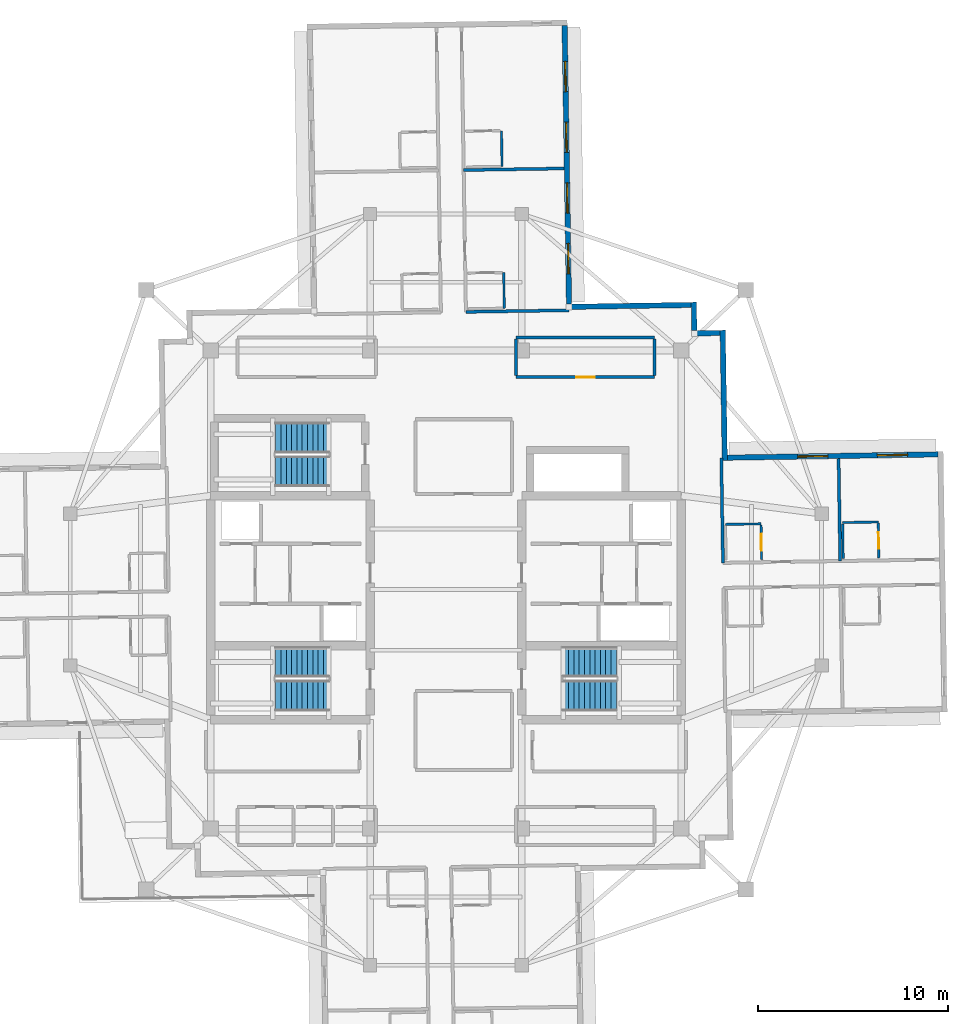
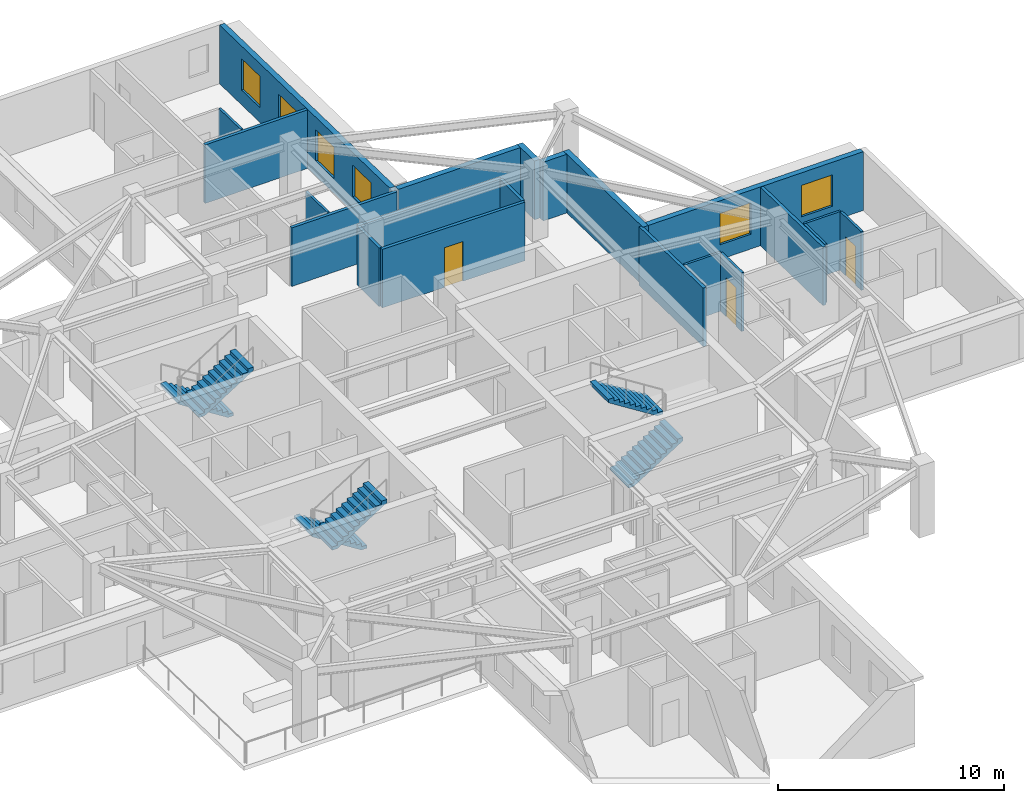
# One storey, part 8 of 12: 21 walls, 6 stair flights, 6 windows, 3 doors, 9 openings, 3 elements without a shape of their own.
"""IFC4 building model written with IfcOpenShell, lengths in metres."""

from ifc_helpers import new_model, si_unit, direction, frame, frame_2d, origin, place, context, subcontext, project, spatial, polyline, rectangle, outline, extrude, material, layer, layer_set, type_object, element, fill, aggregate, save


model = new_model("IFC4")

# Units and contexts
model_context = context("Model", 3, precision=1e-05, world=origin(), true_north=direction((0.0, 1.0)))
body_context = subcontext(model_context, "Body", "Model", "MODEL_VIEW")
ifc_project = project(units=[si_unit("LENGTHUNIT", "METRE"), si_unit("AREAUNIT", "SQUARE_METRE"), si_unit("VOLUMEUNIT", "CUBIC_METRE"), si_unit("PLANEANGLEUNIT", "RADIAN"), si_unit("MASSUNIT", "GRAM", prefix="KILO")], contexts=[model_context])

# Site, building, storey
site_placement = place(None, origin())
site = spatial("IfcSite", under=ifc_project, at=site_placement, CompositionType="ELEMENT")
building_placement = place(site_placement, origin())
building = spatial("IfcBuilding", under=site, at=building_placement, Name="Qingluan Cross Belvedere", CompositionType="ELEMENT")
storey_placement = place(building_placement, frame((0.0, 0.0, 269.39990234375)))
storey = spatial("IfcBuildingStorey", under=building, at=storey_placement, Name="L67", CompositionType="ELEMENT", Elevation=269.39990234375)

# Wall, opening, door
ifc_material_1 = material(Name="Gypsum plasterboard on steel stud acoustic partition", Category="steel")
ifc_layer_1 = layer(ifc_material_1, 0.159912109375, Name="CorridorPartition_160")
ifc_layer_set_1 = layer_set([ifc_layer_1], Name="Gypsum plasterboard on steel stud acoustic partition")
wall_type_1 = type_object("IfcWallType", Name="CorridorPartition_160", PredefinedType="PARTITIONING", material=ifc_layer_set_1)
wall_1_placement = place(storey_placement, frame((3.699951171875, 11.199951171875, 0.0), z_axis=(0.0, 0.0, 1.0), x_axis=(1.0, 0.0, 0.0)))
wall_1 = element("IfcWall", 1, at=wall_1_placement, inside=storey, type_object=wall_type_1, Name="Partition L67:q_ne:S", PredefinedType="PARTITIONING", context=body_context, shape_type="SweptSolid", body=[
    extrude(rectangle(XDim=7.300048828125, YDim=0.159912109375, at=frame_2d((3.64990234375, 0.0))), origin(), (0.0, 0.0, 1.0), 3.170166015625),
])
opening_1_placement = place(wall_1_placement, frame((3.169921875, 0.0, 0.0)))
opening_1 = element("IfcOpeningElement", 2, at=opening_1_placement, cuts=wall_1, Name="Opening GD-10", PredefinedType="OPENING", context=body_context, shape_type="SweptSolid", body=[
    extrude(rectangle(XDim=0.9599609375, YDim=2.14990234375, at=frame_2d((0.47998046875, 1.074951171875))), frame((0.0, 0.08984375, 0.0), z_axis=(0.0, -1.0, 0.0), x_axis=(1.0, 0.0, 0.0)), (0.0, 0.0, 1.0), 0.179931640625),
])
ifc_material_2 = material(Name="Timber oak fire-rated acoustic guestroom door", Category="wood")
door_type_1 = type_object("IfcDoorType", Name="GuestEntryDoor_FD60", OperationType="NOTDEFINED", PredefinedType="DOOR", material=ifc_material_2)
door_1_placement = place(opening_1_placement, origin())
door_1 = element("IfcDoor", 3, at=door_1_placement, inside=storey, type_object=door_type_1, Name="Sky tea ceremony salon L67 door", OperationType="SINGLE_SWING_LEFT", OverallHeight=2.14990234375, OverallWidth=0.9599609375, PredefinedType="DOOR", context=body_context, shape_type="SweptSolid", body=[
    extrude(rectangle(XDim=0.9599609375, YDim=2.14990234375, at=frame_2d((0.47998046875, 1.074951171875))), frame((0.0, 0.02490234375, 0.0), z_axis=(0.0, -1.0, 0.0), x_axis=(1.0, 0.0, 0.0)), (0.0, 0.0, 1.0), 0.050048828125),
])
fill(opening_1, door_1)

# Walls
wall_2_placement = place(storey_placement, frame((3.699951171875, 13.300048828125, 0.0), z_axis=(0.0, 0.0, 1.0), x_axis=(1.0, 0.0, 0.0)))
element("IfcWall", 4, at=wall_2_placement, inside=storey, type_object=wall_type_1, Name="Partition L67:q_ne:N", PredefinedType="PARTITIONING", context=body_context, shape_type="SweptSolid", body=[
    extrude(rectangle(XDim=7.300048828125, YDim=0.159912109375, at=frame_2d((3.64990234375, 0.0))), origin(), (0.0, 0.0, 1.0), 3.170166015625),
])
for number, where, z_axis, x_axis, name in (
    (5, (3.699951171875, 11.284912109375, 0.0), (0.0, 0.0, 1.0), (0.0, 1.0, 0.0), "Partition L67:q_ne:W"),
    (6, (11.0, 11.284912109375, 0.0), (0.0, 0.0, 1.0), (0.0, 1.0, 0.0), "Partition L67:q_ne:E"),
):
    element("IfcWall", number, at=place(storey_placement, frame(where, z_axis=z_axis, x_axis=x_axis)), inside=storey, type_object=wall_type_1, Name=name, PredefinedType="PARTITIONING", context=body_context, shape_type="SweptSolid", body=[
        extrude(rectangle(XDim=1.93017578125, YDim=0.159912109375, at=frame_2d((0.965087890625, 0.0))), origin(), (0.0, 0.0, 1.0), 3.170166015625),
    ])
wall_3_placement = place(storey_placement, frame((14.599609375, 1.409423828125, 0.0), z_axis=(0.0, 0.0, 1.0), x_axis=(-0.015688491621, 0.999876928042, 0.0)))
element("IfcWall", 7, at=wall_3_placement, inside=storey, type_object=wall_type_1, Name="Partition L67:E:s0", PredefinedType="PARTITIONING", context=body_context, shape_type="SweptSolid", body=[
    extrude(rectangle(XDim=5.5400390625, YDim=0.159912109375, at=frame_2d((2.77001953125, 0.0))), origin(), (0.0, 0.0, 1.0), 3.170166015625),
])
wall_4_placement = place(storey_placement, frame((20.77880859375, 1.506591796875, 0.0), z_axis=(0.0, 0.0, 1.0), x_axis=(-0.015711505169, 0.999876566685, 0.0)))
element("IfcWall", 8, at=wall_4_placement, inside=storey, type_object=wall_type_1, Name="Partition L67:E:d0_0", PredefinedType="PARTITIONING", context=body_context, shape_type="SweptSolid", body=[
    extrude(rectangle(XDim=5.39208984375, YDim=0.159912109375, at=frame_2d((2.696044921875, 0.0))), origin(), (0.0, 0.0, 1.0), 3.170166015625),
])
wall_5_placement = place(storey_placement, frame((1.05029296875, 14.63818359375, 0.0), z_axis=(0.0, 0.0, 1.0), x_axis=(0.999876622965, 0.015707923068, 0.0)))
element("IfcWall", 9, at=wall_5_placement, inside=storey, type_object=wall_type_1, Name="Partition L67:N:s0", PredefinedType="PARTITIONING", context=body_context, shape_type="SweptSolid", body=[
    extrude(rectangle(XDim=5.43994140625, YDim=0.159912109375, at=frame_2d((2.719970703125, 0.0))), origin(), (0.0, 0.0, 1.0), 3.170166015625),
])
wall_6_placement = place(storey_placement, frame((0.932861328125, 22.114501953125, 0.0), z_axis=(0.0, 0.0, 1.0), x_axis=(0.999876970397, 0.015685791996, 0.0)))
element("IfcWall", 10, at=wall_6_placement, inside=storey, type_object=wall_type_1, Name="Partition L67:N:d0_0", PredefinedType="PARTITIONING", context=body_context, shape_type="SweptSolid", body=[
    extrude(rectangle(XDim=5.2919921875, YDim=0.159912109375, at=frame_2d((2.64599609375, 0.0))), origin(), (0.0, 0.0, 1.0), 3.170166015625),
])

# Wall, opening, door
ifc_material_3 = material(Name="Moisture-resistant gypsum board lining")
ifc_layer_2 = layer(ifc_material_3, 0.1201171875, Name="EnsuiteWetPartition_120")
ifc_layer_set_2 = layer_set([ifc_layer_2], Name="Moisture-resistant gypsum board lining")
wall_type_2 = type_object("IfcWallType", Name="EnsuiteWetPartition_120", PredefinedType="PARTITIONING", material=ifc_layer_set_2)
wall_7_placement = place(storey_placement, frame((16.63720703125, 1.58154296875, 0.0), z_axis=(0.0, 0.0, 1.0), x_axis=(-0.015694337248, 0.999876836305, 0.0)))
wall_7 = element("IfcWall", 11, at=wall_7_placement, inside=storey, type_object=wall_type_2, Name="Partition L67:E:bs0_0", PredefinedType="PARTITIONING", context=body_context, shape_type="SweptSolid", body=[
    extrude(rectangle(XDim=1.820068359375, YDim=0.1201171875, at=frame_2d((0.91015625, 0.0))), origin(), (0.0, 0.0, 1.0), 3.170166015625),
])
opening_2_placement = place(wall_7_placement, frame((0.469970703125, 0.0, 0.0)))
opening_2 = element("IfcOpeningElement", 12, at=opening_2_placement, cuts=wall_7, Name="Opening BD-09", PredefinedType="OPENING", context=body_context, shape_type="SweptSolid", body=[
    extrude(rectangle(XDim=0.8798828125, YDim=2.10009765625, at=frame_2d((0.43994140625, 1.050048828125))), frame((0.0, 0.070068359375, 0.0), z_axis=(0.0, -1.0, 0.0), x_axis=(1.0, 0.0, 0.0)), (0.0, 0.0, 1.0), 0.14013671875),
])
ifc_material_4 = material(Name="Moisture-sealed timber en-suite door", Category="wood")
door_type_2 = type_object("IfcDoorType", Name="BathroomDoor_880", OperationType="NOTDEFINED", PredefinedType="DOOR", material=ifc_material_4)
door_2_placement = place(opening_2_placement, origin())
door_2 = element("IfcDoor", 13, at=door_2_placement, inside=storey, type_object=door_type_2, Name="Bathroom door 6701", OperationType="SINGLE_SWING_LEFT", OverallHeight=2.10009765625, OverallWidth=0.8798828125, PredefinedType="DOOR", context=body_context, shape_type="SweptSolid", body=[
    extrude(rectangle(XDim=0.8798828125, YDim=2.10009765625, at=frame_2d((0.43994140625, 1.050048828125))), frame((0.0, 0.02490234375, 0.0), z_axis=(0.0, -1.0, 0.0), x_axis=(1.0, 0.0, 0.0)), (0.0, 0.0, 1.0), 0.050048828125),
])
fill(opening_2, door_2)

# Wall
wall_8_placement = place(storey_placement, frame((14.727783203125, 3.436767578125, 0.0), z_axis=(0.0, 0.0, 1.0), x_axis=(0.999876553475, 0.01571234584, 0.0)))
element("IfcWall", 14, at=wall_8_placement, inside=storey, type_object=wall_type_2, Name="Partition L67:E:bn0_0", PredefinedType="PARTITIONING", context=body_context, shape_type="SweptSolid", body=[
    extrude(rectangle(XDim=1.880126953125, YDim=0.1201171875, at=frame_2d((0.93994140625, 0.0))), origin(), (0.0, 0.0, 1.0), 3.170166015625),
])

# Wall, opening, door
wall_9_placement = place(storey_placement, frame((22.81640625, 1.6787109375, 0.0), z_axis=(0.0, 0.0, 1.0), x_axis=(-0.015696442504, 0.999876803258, 0.0)))
wall_9 = element("IfcWall", 15, at=wall_9_placement, inside=storey, type_object=wall_type_2, Name="Partition L67:E:bs0_1", PredefinedType="PARTITIONING", context=body_context, shape_type="SweptSolid", body=[
    extrude(rectangle(XDim=1.81982421875, YDim=0.1201171875, at=frame_2d((0.909912109375, 0.0))), origin(), (0.0, 0.0, 1.0), 3.170166015625),
])
opening_3_placement = place(wall_9_placement, frame((0.469970703125, 0.0, 0.0)))
opening_3 = element("IfcOpeningElement", 16, at=opening_3_placement, cuts=wall_9, Name="Opening BD-09", PredefinedType="OPENING", context=body_context, shape_type="SweptSolid", body=[
    extrude(rectangle(XDim=0.8798828125, YDim=2.10009765625, at=frame_2d((0.43994140625, 1.050048828125))), frame((0.0, 0.070068359375, 0.0), z_axis=(0.0, -1.0, 0.0), x_axis=(1.0, 0.0, 0.0)), (0.0, 0.0, 1.0), 0.14013671875),
])
door_3_placement = place(opening_3_placement, origin())
door_3 = element("IfcDoor", 17, at=door_3_placement, inside=storey, type_object=door_type_2, Name="Bathroom door 6702", OperationType="SINGLE_SWING_LEFT", OverallHeight=2.10009765625, OverallWidth=0.8798828125, PredefinedType="DOOR", context=body_context, shape_type="SweptSolid", body=[
    extrude(rectangle(XDim=0.8798828125, YDim=2.10009765625, at=frame_2d((0.43994140625, 1.050048828125))), frame((0.0, 0.02490234375, 0.0), z_axis=(0.0, -1.0, 0.0), x_axis=(1.0, 0.0, 0.0)), (0.0, 0.0, 1.0), 0.050048828125),
])
fill(opening_3, door_3)

# Walls
wall_10_placement = place(storey_placement, frame((20.936767578125, 1.649169921875, 0.0), z_axis=(0.0, 0.0, 1.0), x_axis=(-0.015696442504, 0.999876803258, 0.0)))
element("IfcWall", 18, at=wall_10_placement, inside=storey, type_object=wall_type_2, Name="Partition L67:E:bw0_1", PredefinedType="PARTITIONING", context=body_context, shape_type="SweptSolid", body=[
    extrude(rectangle(XDim=1.81982421875, YDim=0.1201171875, at=frame_2d((0.909912109375, 0.0))), origin(), (0.0, 0.0, 1.0), 3.170166015625),
])
for number, where, z_axis, x_axis, name in (
    (19, (20.906982421875, 3.53369140625, 0.0), (0.0, 0.0, 1.0), (0.99987450499, 0.015842167482, 0.0), "Partition L67:E:bn0_1"),
    (20, (3.072509765625, 14.830078125, 0.0), (0.0, 0.0, 1.0), (-0.01571234584, 0.999876553475, 0.0), "Partition L67:N:bn0_0"),
):
    element("IfcWall", number, at=place(storey_placement, frame(where, z_axis=z_axis, x_axis=x_axis)), inside=storey, type_object=wall_type_2, Name=name, PredefinedType="PARTITIONING", context=body_context, shape_type="SweptSolid", body=[
        extrude(rectangle(XDim=1.880126953125, YDim=0.1201171875, at=frame_2d((0.93994140625, 0.0))), origin(), (0.0, 0.0, 1.0), 3.170166015625),
    ])
wall_11_placement = place(storey_placement, frame((2.955078125, 22.30615234375, 0.0), z_axis=(0.0, 0.0, 1.0), x_axis=(-0.015714386166, 0.99987652141, 0.0)))
element("IfcWall", 21, at=wall_11_placement, inside=storey, type_object=wall_type_2, Name="Partition L67:N:bn0_1", PredefinedType="PARTITIONING", context=body_context, shape_type="SweptSolid", body=[
    extrude(rectangle(XDim=1.8798828125, YDim=0.1201171875, at=frame_2d((0.93994140625, 0.0))), origin(), (0.0, 0.0, 1.0), 3.170166015625),
])

# Wall, openings, windows
ifc_material_5 = material(Name="Precast concrete C45", Category="concrete")
ifc_layer_3 = layer(ifc_material_5, 0.280029296875, Name="PrecastFacadeWall_280")
ifc_layer_set_3 = layer_set([ifc_layer_3], Name="Precast concrete C45")
wall_type_3 = type_object("IfcWallType", Name="PrecastFacadeWall_280", PredefinedType="STANDARD", material=ifc_layer_set_3)
wall_12_placement = place(storey_placement, frame((25.93115234375, 7.128173828125, 0.0), z_axis=(0.0, 0.0, 1.0), x_axis=(-0.999876681786, -0.015704178416, 0.0)))
wall_12 = element("IfcWall", 22, at=wall_12_placement, inside=storey, type_object=wall_type_3, Name="Facade wall L67-EB", PredefinedType="STANDARD", context=body_context, shape_type="SweptSolid", body=[
    extrude(rectangle(XDim=11.10009765625, YDim=0.280029296875, at=frame_2d((5.550048828125, 0.0))), origin(), (0.0, 0.0, 1.0), 3.18017578125),
])
opening_4_placement = place(wall_12_placement, frame((1.60009765625, 0.0, 0.800048828125)))
opening_4 = element("IfcOpeningElement", 23, at=opening_4_placement, cuts=wall_12, Name="Opening W-04", PredefinedType="OPENING", context=body_context, shape_type="SweptSolid", body=[
    extrude(rectangle(XDim=1.60009765625, YDim=1.699951171875, at=frame_2d((0.800048828125, 0.85009765625))), frame((0.0, 0.14990234375, 0.0), z_axis=(0.0, -1.0, 0.0), x_axis=(1.0, 0.0, 0.0)), (0.0, 0.0, 1.0), 0.300048828125),
])
opening_5_placement = place(wall_12_placement, frame((5.800048828125, 0.0, 0.800048828125)))
opening_5 = element("IfcOpeningElement", 24, at=opening_5_placement, cuts=wall_12, Name="Opening W-04", PredefinedType="OPENING", context=body_context, shape_type="SweptSolid", body=[
    extrude(rectangle(XDim=1.60009765625, YDim=1.699951171875, at=frame_2d((0.800048828125, 0.85009765625))), frame((0.0, 0.14990234375, 0.0), z_axis=(0.0, -1.0, 0.0), x_axis=(1.0, 0.0, 0.0)), (0.0, 0.0, 1.0), 0.300048828125),
])
ifc_material_6 = material(Name="Thermally broken triple Low-E glass in aluminium frame", Category="aluminium")
window_type = type_object("IfcWindowType", Name="SuiteCornerWin_1600x1700", PartitioningType="SINGLE_PANEL", PredefinedType="WINDOW", material=ifc_material_6)
window_1_placement = place(opening_4_placement, origin())
window_1 = element("IfcWindow", 25, at=window_1_placement, inside=storey, type_object=window_type, Name="Ribbon window L67-EB-1", OverallHeight=1.699951171875, OverallWidth=1.60009765625, PartitioningType="SINGLE_PANEL", PredefinedType="WINDOW", context=body_context, shape_type="SweptSolid", body=[
    extrude(rectangle(XDim=1.60009765625, YDim=1.699951171875, at=frame_2d((0.800048828125, 0.85009765625))), frame((0.0, 0.030029296875, 0.0), z_axis=(0.0, -1.0, 0.0), x_axis=(1.0, 0.0, 0.0)), (0.0, 0.0, 1.0), 0.06005859375),
])
fill(opening_4, window_1)
window_2_placement = place(opening_5_placement, origin())
window_2 = element("IfcWindow", 26, at=window_2_placement, inside=storey, type_object=window_type, Name="Ribbon window L67-EB-2", OverallHeight=1.699951171875, OverallWidth=1.60009765625, PartitioningType="SINGLE_PANEL", PredefinedType="WINDOW", context=body_context, shape_type="SweptSolid", body=[
    extrude(rectangle(XDim=1.60009765625, YDim=1.699951171875, at=frame_2d((0.800048828125, 0.85009765625))), frame((0.0, 0.030029296875, 0.0), z_axis=(0.0, -1.0, 0.0), x_axis=(1.0, 0.0, 0.0)), (0.0, 0.0, 1.0), 0.06005859375),
])
fill(opening_5, window_2)

wall_13_placement = place(storey_placement, frame((6.484619140625, 15.043701171875, 0.0), z_axis=(0.0, 0.0, 1.0), x_axis=(-0.015711302158, 0.999876569875, 0.0)))
wall_13 = element("IfcWall", 27, at=wall_13_placement, inside=storey, type_object=wall_type_3, Name="Facade wall L67-NA", PredefinedType="STANDARD", context=body_context, shape_type="SweptSolid", body=[
    extrude(rectangle(XDim=14.699951171875, YDim=0.280029296875, at=frame_2d((7.35009765625, 0.0))), origin(), (0.0, 0.0, 1.0), 3.18017578125),
])
opening_6_placement = place(wall_13_placement, frame((1.60009765625, 0.0, 0.800048828125)))
opening_6 = element("IfcOpeningElement", 28, at=opening_6_placement, cuts=wall_13, Name="Opening W-04", PredefinedType="OPENING", context=body_context, shape_type="SweptSolid", body=[
    extrude(rectangle(XDim=1.60009765625, YDim=1.699951171875, at=frame_2d((0.800048828125, 0.85009765625))), frame((0.0, 0.14990234375, 0.0), z_axis=(0.0, -1.0, 0.0), x_axis=(1.0, 0.0, 0.0)), (0.0, 0.0, 1.0), 0.300048828125),
])
opening_7_placement = place(wall_13_placement, frame((4.800048828125, 0.0, 0.800048828125)))
opening_7 = element("IfcOpeningElement", 29, at=opening_7_placement, cuts=wall_13, Name="Opening W-04", PredefinedType="OPENING", context=body_context, shape_type="SweptSolid", body=[
    extrude(rectangle(XDim=1.60009765625, YDim=1.699951171875, at=frame_2d((0.800048828125, 0.85009765625))), frame((0.0, 0.14990234375, 0.0), z_axis=(0.0, -1.0, 0.0), x_axis=(1.0, 0.0, 0.0)), (0.0, 0.0, 1.0), 0.300048828125),
])
opening_8_placement = place(wall_13_placement, frame((8.0, 0.0, 0.800048828125)))
opening_8 = element("IfcOpeningElement", 30, at=opening_8_placement, cuts=wall_13, Name="Opening W-04", PredefinedType="OPENING", context=body_context, shape_type="SweptSolid", body=[
    extrude(rectangle(XDim=1.60009765625, YDim=1.699951171875, at=frame_2d((0.800048828125, 0.85009765625))), frame((0.0, 0.14990234375, 0.0), z_axis=(0.0, -1.0, 0.0), x_axis=(1.0, 0.0, 0.0)), (0.0, 0.0, 1.0), 0.300048828125),
])
opening_9_placement = place(wall_13_placement, frame((11.199951171875, 0.0, 0.800048828125)))
opening_9 = element("IfcOpeningElement", 31, at=opening_9_placement, cuts=wall_13, Name="Opening W-04", PredefinedType="OPENING", context=body_context, shape_type="SweptSolid", body=[
    extrude(rectangle(XDim=1.60009765625, YDim=1.699951171875, at=frame_2d((0.800048828125, 0.85009765625))), frame((0.0, 0.14990234375, 0.0), z_axis=(0.0, -1.0, 0.0), x_axis=(1.0, 0.0, 0.0)), (0.0, 0.0, 1.0), 0.300048828125),
])
window_3_placement = place(opening_6_placement, origin())
window_3 = element("IfcWindow", 32, at=window_3_placement, inside=storey, type_object=window_type, Name="Ribbon window L67-NA-1", OverallHeight=1.699951171875, OverallWidth=1.60009765625, PartitioningType="SINGLE_PANEL", PredefinedType="WINDOW", context=body_context, shape_type="SweptSolid", body=[
    extrude(rectangle(XDim=1.60009765625, YDim=1.699951171875, at=frame_2d((0.800048828125, 0.85009765625))), frame((0.0, 0.030029296875, 0.0), z_axis=(0.0, -1.0, 0.0), x_axis=(1.0, 0.0, 0.0)), (0.0, 0.0, 1.0), 0.06005859375),
])
fill(opening_6, window_3)
window_4_placement = place(opening_7_placement, origin())
window_4 = element("IfcWindow", 33, at=window_4_placement, inside=storey, type_object=window_type, Name="Ribbon window L67-NA-2", OverallHeight=1.699951171875, OverallWidth=1.60009765625, PartitioningType="SINGLE_PANEL", PredefinedType="WINDOW", context=body_context, shape_type="SweptSolid", body=[
    extrude(rectangle(XDim=1.60009765625, YDim=1.699951171875, at=frame_2d((0.800048828125, 0.85009765625))), frame((0.0, 0.030029296875, 0.0), z_axis=(0.0, -1.0, 0.0), x_axis=(1.0, 0.0, 0.0)), (0.0, 0.0, 1.0), 0.06005859375),
])
fill(opening_7, window_4)
window_5_placement = place(opening_8_placement, origin())
window_5 = element("IfcWindow", 34, at=window_5_placement, inside=storey, type_object=window_type, Name="Ribbon window L67-NA-3", OverallHeight=1.699951171875, OverallWidth=1.60009765625, PartitioningType="SINGLE_PANEL", PredefinedType="WINDOW", context=body_context, shape_type="SweptSolid", body=[
    extrude(rectangle(XDim=1.60009765625, YDim=1.699951171875, at=frame_2d((0.800048828125, 0.85009765625))), frame((0.0, 0.030029296875, 0.0), z_axis=(0.0, -1.0, 0.0), x_axis=(1.0, 0.0, 0.0)), (0.0, 0.0, 1.0), 0.06005859375),
])
fill(opening_8, window_5)
window_6_placement = place(opening_9_placement, origin())
window_6 = element("IfcWindow", 35, at=window_6_placement, inside=storey, type_object=window_type, Name="Ribbon window L67-NA-4", OverallHeight=1.699951171875, OverallWidth=1.60009765625, PartitioningType="SINGLE_PANEL", PredefinedType="WINDOW", context=body_context, shape_type="SweptSolid", body=[
    extrude(rectangle(XDim=1.60009765625, YDim=1.699951171875, at=frame_2d((0.800048828125, 0.85009765625))), frame((0.0, 0.030029296875, 0.0), z_axis=(0.0, -1.0, 0.0), x_axis=(1.0, 0.0, 0.0)), (0.0, 0.0, 1.0), 0.06005859375),
])
fill(opening_9, window_6)

# Walls
wall_14_placement = place(storey_placement, frame((14.69482421875, 6.811767578125, 0.0), z_axis=(0.0, 0.0, 1.0), x_axis=(-0.015694809807, 0.999876828887, 0.0)))
element("IfcWall", 36, at=wall_14_placement, inside=storey, type_object=wall_type_3, Name="Corner wall L67-NE1", PredefinedType="STANDARD", context=body_context, shape_type="SweptSolid", body=[
    extrude(rectangle(XDim=6.85986328125, YDim=0.280029296875, at=frame_2d((3.429931640625, 0.0))), origin(), (0.0, 0.0, 1.0), 3.18017578125),
])
wall_15_placement = place(storey_placement, frame((14.44921875, 13.528564453125, 0.0), z_axis=(0.0, 0.0, 1.0), x_axis=(-0.999878147354, -0.015610587569, 0.0)))
element("IfcWall", 37, at=wall_15_placement, inside=storey, type_object=wall_type_3, Name="Corner wall L67-NE2", PredefinedType="STANDARD", context=body_context, shape_type="SweptSolid", body=[
    extrude(rectangle(XDim=1.219970703125, YDim=0.280029296875, at=frame_2d((0.60986328125, 0.0))), origin(), (0.0, 0.0, 1.0), 3.18017578125),
])
wall_16_placement = place(storey_placement, frame((13.08740234375, 13.647216796875, 0.0), z_axis=(0.0, 0.0, 1.0), x_axis=(-0.015785793208, 0.999875396603, 0.0)))
element("IfcWall", 38, at=wall_16_placement, inside=storey, type_object=wall_type_3, Name="Corner wall L67-NE3", PredefinedType="STANDARD", context=body_context, shape_type="SweptSolid", body=[
    extrude(rectangle(XDim=1.500244140625, YDim=0.280029296875, at=frame_2d((0.75, 0.0))), origin(), (0.0, 0.0, 1.0), 3.18017578125),
])
wall_17_placement = place(storey_placement, frame((12.92578125, 15.0048828125, 0.0), z_axis=(0.0, 0.0, 1.0), x_axis=(-0.999876823822, -0.015695132501, 0.0)))
element("IfcWall", 39, at=wall_17_placement, inside=storey, type_object=wall_type_3, Name="Corner wall L67-NE4", PredefinedType="STANDARD", context=body_context, shape_type="SweptSolid", body=[
    extrude(rectangle(XDim=6.2998046875, YDim=0.280029296875, at=frame_2d((3.14990234375, 0.0))), origin(), (0.0, 0.0, 1.0), 3.18017578125),
])

# Stair, stair flights
ifc_material_7 = material(Name="Concrete C40", Category="concrete")
stair_type = type_object("IfcStairType", Name="CoreDoglegStair_1620", PredefinedType="HALF_TURN_STAIR", material=ifc_material_7)
stair_1_placement = place(storey_placement, origin())
stair_1 = element("IfcStair", 40, at=stair_1_placement, inside=storey, type_object=stair_type, Name="L67 ST1", PredefinedType="HALF_TURN_STAIR")
ifc_material_8 = material(Name="Concrete C40", Category="concrete")
ifc_layer_4 = layer(ifc_material_8, 0.179931640625, Name="StairFlight_RC180")
ifc_layer_set_4 = layer_set([ifc_layer_4], Name="Concrete C40")
stair_flight_type = type_object("IfcStairFlightType", Name="StairFlight_RC180", PredefinedType="STRAIGHT", material=ifc_layer_set_4)
stair_flight_1_placement = place(storey_placement, frame((-6.179931640625, -3.81005859375, 0.0), z_axis=(0.0, 0.0, 1.0), x_axis=(-1.0, 0.0, 0.0)))
stair_flight_1 = element("IfcStairFlight", 41, at=stair_flight_1_placement, type_object=stair_flight_type, Name="ST1 flight 1", NumberOfRisers=11, NumberOfTreads=10, PredefinedType="STRAIGHT", RiserHeight=0.177272727, TreadLength=0.28, context=body_context, shape_type="SweptSolid", body=[
    extrude(outline(polyline([(0.0, 0.0), (0.0, 0.17724609375), (0.280029296875, 0.17724609375), (0.280029296875, 0.3544921875), (0.56005859375, 0.3544921875), (0.56005859375, 0.53173828125), (0.840087890625, 0.53173828125), (0.840087890625, 0.708984375), (1.1201171875, 0.708984375), (1.1201171875, 0.886474609375), (1.39990234375, 0.886474609375), (1.39990234375, 1.063720703125), (1.679931640625, 1.063720703125), (1.679931640625, 1.240966796875), (1.9599609375, 1.240966796875), (1.9599609375, 1.418212890625), (2.239990234375, 1.418212890625), (2.239990234375, 1.595458984375), (2.52001953125, 1.595458984375), (2.52001953125, 1.772705078125), (2.800048828125, 1.772705078125), (2.800048828125, 1.949951171875), (2.800048828125, 1.59521484375), (0.2802734375, 0.0), (0.0, 0.0)])), frame((0.0, 0.81005859375, 0.0), z_axis=(0.0, -1.0, 0.0), x_axis=(1.0, 0.0, 0.0)), (0.0, 0.0, 1.0), 1.6201171875),
])
stair_flight_2_placement = place(storey_placement, frame((-8.97998046875, -5.590087890625, 1.9501953125), z_axis=(0.0, 0.0, 1.0), x_axis=(1.0, 0.0, 0.0)))
stair_flight_2 = element("IfcStairFlight", 42, at=stair_flight_2_placement, type_object=stair_flight_type, Name="ST1 flight 2", NumberOfRisers=11, NumberOfTreads=10, PredefinedType="STRAIGHT", RiserHeight=0.177272727, TreadLength=0.28, context=body_context, shape_type="SweptSolid", body=[
    extrude(outline(polyline([(0.0, 0.0), (0.0, 0.17724609375), (0.280029296875, 0.17724609375), (0.280029296875, 0.3544921875), (0.56005859375, 0.3544921875), (0.56005859375, 0.53173828125), (0.840087890625, 0.53173828125), (0.840087890625, 0.708984375), (1.1201171875, 0.708984375), (1.1201171875, 0.886474609375), (1.39990234375, 0.886474609375), (1.39990234375, 1.063720703125), (1.679931640625, 1.063720703125), (1.679931640625, 1.240966796875), (1.9599609375, 1.240966796875), (1.9599609375, 1.418212890625), (2.239990234375, 1.418212890625), (2.239990234375, 1.595458984375), (2.52001953125, 1.595458984375), (2.52001953125, 1.772705078125), (2.800048828125, 1.772705078125), (2.800048828125, 1.949951171875), (2.800048828125, 1.59521484375), (0.2802734375, 0.0), (0.0, 0.0)])), frame((0.0, 0.81005859375, 0.0), z_axis=(0.0, -1.0, 0.0), x_axis=(1.0, 0.0, 0.0)), (0.0, 0.0, 1.0), 1.6201171875),
])
aggregate(stair_1, [stair_flight_1, stair_flight_2])

stair_2_placement = place(storey_placement, origin())
stair_2 = element("IfcStair", 43, at=stair_2_placement, inside=storey, type_object=stair_type, Name="L67 ST2", PredefinedType="HALF_TURN_STAIR")
stair_flight_3_placement = place(storey_placement, frame((6.179931640625, -5.590087890625, 0.0), z_axis=(0.0, 0.0, 1.0), x_axis=(1.0, 0.0, 0.0)))
stair_flight_3 = element("IfcStairFlight", 44, at=stair_flight_3_placement, type_object=stair_flight_type, Name="ST2 flight 1", NumberOfRisers=11, NumberOfTreads=10, PredefinedType="STRAIGHT", RiserHeight=0.177272727, TreadLength=0.28, context=body_context, shape_type="SweptSolid", body=[
    extrude(outline(polyline([(0.0, 0.0), (0.0, 0.17724609375), (0.280029296875, 0.17724609375), (0.280029296875, 0.3544921875), (0.56005859375, 0.3544921875), (0.56005859375, 0.53173828125), (0.840087890625, 0.53173828125), (0.840087890625, 0.708984375), (1.1201171875, 0.708984375), (1.1201171875, 0.886474609375), (1.39990234375, 0.886474609375), (1.39990234375, 1.063720703125), (1.679931640625, 1.063720703125), (1.679931640625, 1.240966796875), (1.9599609375, 1.240966796875), (1.9599609375, 1.418212890625), (2.239990234375, 1.418212890625), (2.239990234375, 1.595458984375), (2.52001953125, 1.595458984375), (2.52001953125, 1.772705078125), (2.800048828125, 1.772705078125), (2.800048828125, 1.949951171875), (2.800048828125, 1.59521484375), (0.2802734375, 0.0), (0.0, 0.0)])), frame((0.0, 0.81005859375, 0.0), z_axis=(0.0, -1.0, 0.0), x_axis=(1.0, 0.0, 0.0)), (0.0, 0.0, 1.0), 1.6201171875),
])
stair_flight_4_placement = place(storey_placement, frame((8.97998046875, -3.81005859375, 1.9501953125), z_axis=(0.0, 0.0, 1.0), x_axis=(-1.0, 0.0, 0.0)))
stair_flight_4 = element("IfcStairFlight", 45, at=stair_flight_4_placement, type_object=stair_flight_type, Name="ST2 flight 2", NumberOfRisers=11, NumberOfTreads=10, PredefinedType="STRAIGHT", RiserHeight=0.177272727, TreadLength=0.28, context=body_context, shape_type="SweptSolid", body=[
    extrude(outline(polyline([(0.0, 0.0), (0.0, 0.17724609375), (0.280029296875, 0.17724609375), (0.280029296875, 0.3544921875), (0.56005859375, 0.3544921875), (0.56005859375, 0.53173828125), (0.840087890625, 0.53173828125), (0.840087890625, 0.708984375), (1.1201171875, 0.708984375), (1.1201171875, 0.886474609375), (1.39990234375, 0.886474609375), (1.39990234375, 1.063720703125), (1.679931640625, 1.063720703125), (1.679931640625, 1.240966796875), (1.9599609375, 1.240966796875), (1.9599609375, 1.418212890625), (2.239990234375, 1.418212890625), (2.239990234375, 1.595458984375), (2.52001953125, 1.595458984375), (2.52001953125, 1.772705078125), (2.800048828125, 1.772705078125), (2.800048828125, 1.949951171875), (2.800048828125, 1.59521484375), (0.2802734375, 0.0), (0.0, 0.0)])), frame((0.0, 0.81005859375, 0.0), z_axis=(0.0, -1.0, 0.0), x_axis=(1.0, 0.0, 0.0)), (0.0, 0.0, 1.0), 1.6201171875),
])
aggregate(stair_2, [stair_flight_3, stair_flight_4])

stair_3_placement = place(storey_placement, origin())
stair_3 = element("IfcStair", 46, at=stair_3_placement, inside=storey, type_object=stair_type, Name="L67 ST3", PredefinedType="HALF_TURN_STAIR")
stair_flight_5_placement = place(storey_placement, frame((-6.179931640625, 8.010009765625, 0.0), z_axis=(0.0, 0.0, 1.0), x_axis=(-1.0, 0.0, 0.0)))
stair_flight_5 = element("IfcStairFlight", 47, at=stair_flight_5_placement, type_object=stair_flight_type, Name="ST3 flight 1", NumberOfRisers=11, NumberOfTreads=10, PredefinedType="STRAIGHT", RiserHeight=0.177272727, TreadLength=0.28, context=body_context, shape_type="SweptSolid", body=[
    extrude(outline(polyline([(0.0, 0.0), (0.0, 0.17724609375), (0.280029296875, 0.17724609375), (0.280029296875, 0.3544921875), (0.56005859375, 0.3544921875), (0.56005859375, 0.53173828125), (0.840087890625, 0.53173828125), (0.840087890625, 0.708984375), (1.1201171875, 0.708984375), (1.1201171875, 0.886474609375), (1.39990234375, 0.886474609375), (1.39990234375, 1.063720703125), (1.679931640625, 1.063720703125), (1.679931640625, 1.240966796875), (1.9599609375, 1.240966796875), (1.9599609375, 1.418212890625), (2.239990234375, 1.418212890625), (2.239990234375, 1.595458984375), (2.52001953125, 1.595458984375), (2.52001953125, 1.772705078125), (2.800048828125, 1.772705078125), (2.800048828125, 1.949951171875), (2.800048828125, 1.59521484375), (0.2802734375, 0.0), (0.0, 0.0)])), frame((0.0, 0.81005859375, 0.0), z_axis=(0.0, -1.0, 0.0), x_axis=(1.0, 0.0, 0.0)), (0.0, 0.0, 1.0), 1.6201171875),
])
stair_flight_6_placement = place(storey_placement, frame((-8.97998046875, 6.22998046875, 1.9501953125), z_axis=(0.0, 0.0, 1.0), x_axis=(1.0, 0.0, 0.0)))
stair_flight_6 = element("IfcStairFlight", 48, at=stair_flight_6_placement, type_object=stair_flight_type, Name="ST3 flight 2", NumberOfRisers=11, NumberOfTreads=10, PredefinedType="STRAIGHT", RiserHeight=0.177272727, TreadLength=0.28, context=body_context, shape_type="SweptSolid", body=[
    extrude(outline(polyline([(0.0, 0.0), (0.0, 0.17724609375), (0.280029296875, 0.17724609375), (0.280029296875, 0.3544921875), (0.56005859375, 0.3544921875), (0.56005859375, 0.53173828125), (0.840087890625, 0.53173828125), (0.840087890625, 0.708984375), (1.1201171875, 0.708984375), (1.1201171875, 0.886474609375), (1.39990234375, 0.886474609375), (1.39990234375, 1.063720703125), (1.679931640625, 1.063720703125), (1.679931640625, 1.240966796875), (1.9599609375, 1.240966796875), (1.9599609375, 1.418212890625), (2.239990234375, 1.418212890625), (2.239990234375, 1.595458984375), (2.52001953125, 1.595458984375), (2.52001953125, 1.772705078125), (2.800048828125, 1.772705078125), (2.800048828125, 1.949951171875), (2.800048828125, 1.59521484375), (0.2802734375, 0.0), (0.0, 0.0)])), frame((0.0, 0.81005859375, 0.0), z_axis=(0.0, -1.0, 0.0), x_axis=(1.0, 0.0, 0.0)), (0.0, 0.0, 1.0), 1.6201171875),
])
aggregate(stair_3, [stair_flight_5, stair_flight_6])

save(model, "model.ifc")
